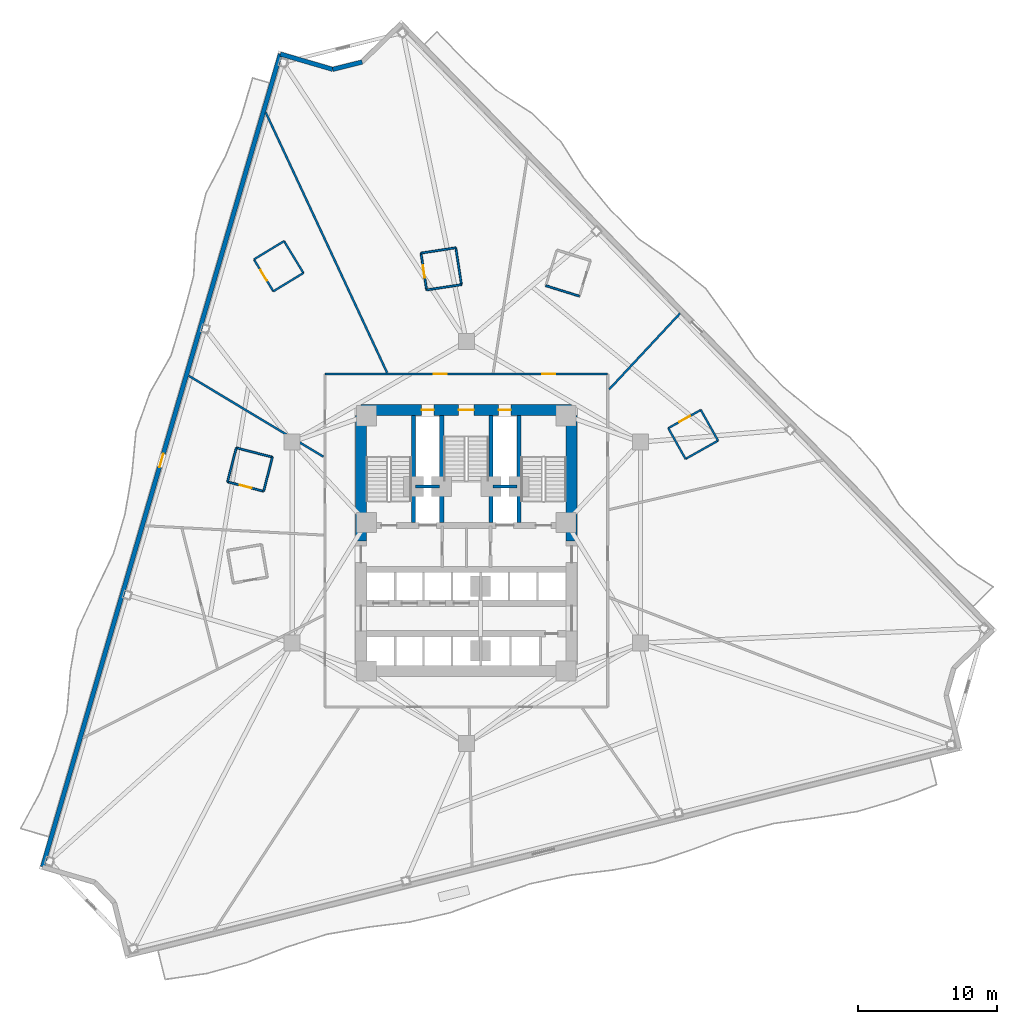
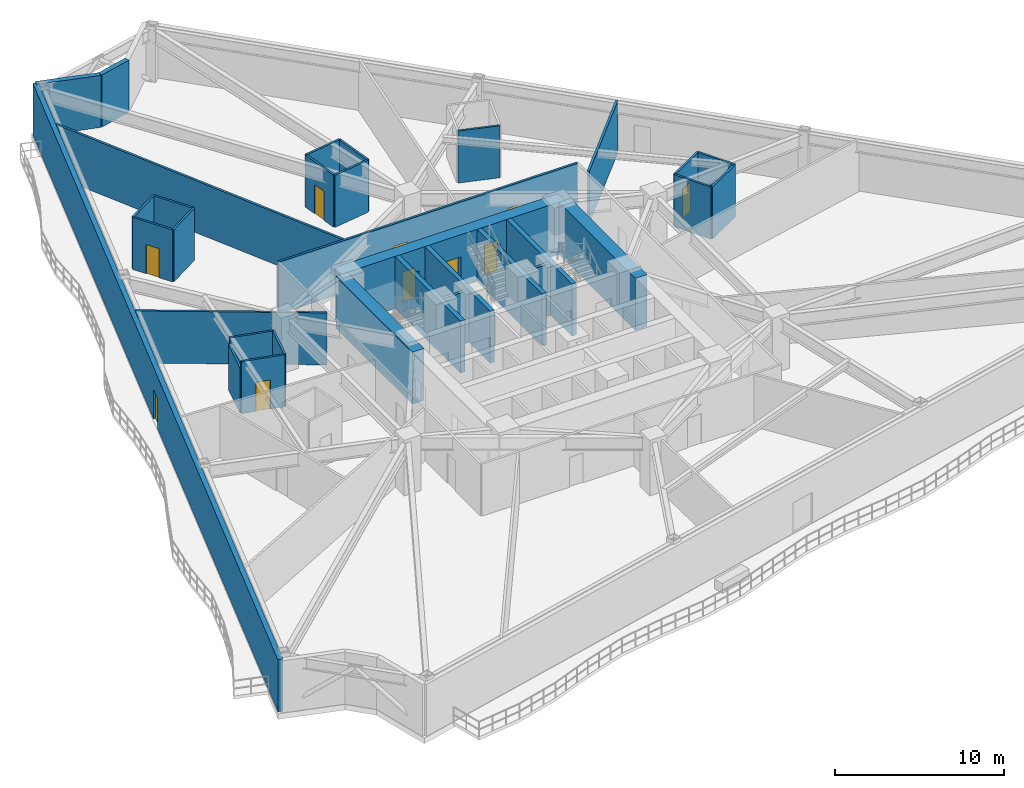
# One storey, part 8 of 13: 33 walls, 10 doors, 10 openings.
"""IFC4 building model written with IfcOpenShell, lengths in metres."""

from ifc_helpers import new_model, si_unit, direction, frame, frame_2d, origin, place, context, subcontext, project, spatial, rectangle, extrude, material, layer, layer_set, type_object, element, fill, save


model = new_model("IFC4")

# Units and contexts
model_context = context("Model", 3, precision=1e-05, world=origin(), true_north=direction((0.0, 1.0)))
body_context = subcontext(model_context, "Body", "Model", "MODEL_VIEW")
ifc_project = project(units=[si_unit("LENGTHUNIT", "METRE"), si_unit("AREAUNIT", "SQUARE_METRE"), si_unit("VOLUMEUNIT", "CUBIC_METRE"), si_unit("PLANEANGLEUNIT", "RADIAN"), si_unit("MASSUNIT", "GRAM", prefix="KILO")], contexts=[model_context])

# Site, building, storey
site_placement = place(None, origin())
site = spatial("IfcSite", under=ifc_project, at=site_placement, CompositionType="ELEMENT")
building_placement = place(site_placement, origin())
building = spatial("IfcBuilding", under=site, at=building_placement, Name="Apsidion Concourse Tower", CompositionType="ELEMENT")
storey_placement = place(building_placement, frame((0.0, 0.0, 95.0)))
storey = spatial("IfcBuildingStorey", under=building, at=storey_placement, Name="L21", CompositionType="ELEMENT", Elevation=95.0)

# Wall, opening, door
ifc_material_1 = material(Name="Precast concrete C40/50", Category="concrete")
ifc_layer_1 = layer(ifc_material_1, 0.320068359375)
ifc_layer_set_1 = layer_set([ifc_layer_1], Name="Precast concrete C40/50")
wall_type_1 = type_object("IfcWallType", Name="WL-EXT-320", PredefinedType="STANDARD", material=ifc_layer_set_1)
wall_1_placement = place(storey_placement, frame((-30.55908203125, -23.389404296875, 0.0), z_axis=(0.0, 0.0, 1.0), x_axis=(0.280769703207, 0.95977516834, 0.0)))
wall_1 = element("IfcWall", 1, at=wall_1_placement, inside=storey, type_object=wall_type_1, Name="L21 Precast Stone Facade Wall 09", PredefinedType="STANDARD", context=body_context, shape_type="SweptSolid", body=[
    extrude(rectangle(XDim=61.07568359375, YDim=0.320068359375, at=frame_2d((30.537841796875, 0.0))), origin(), (0.0, 0.0, 1.0), 3.75),
])
opening_1_placement = place(wall_1_placement, frame((30.037841796875, 0.0, 0.0)))
opening_1 = element("IfcOpeningElement", 2, at=opening_1_placement, cuts=wall_1, Name="Opening D-T1R", PredefinedType="OPENING", context=body_context, shape_type="SweptSolid", body=[
    extrude(rectangle(XDim=1.0, YDim=2.14990234375, at=frame_2d((0.5, 1.074951171875))), frame((0.0, 0.169921875, 0.0), z_axis=(0.0, -1.0, 0.0), x_axis=(1.0, 0.0, 0.0)), (0.0, 0.0, 1.0), 0.340087890625),
])
ifc_material_2 = material(Name="Anodised aluminium EN AW-6063 T6", Category="aluminium")
door_type_1 = type_object("IfcDoorType", Name="DR-TER-1022R", OperationType="SINGLE_SWING_RIGHT", PredefinedType="DOOR", material=ifc_material_2)
door_1_placement = place(opening_1_placement, origin())
door_1 = element("IfcDoor", 3, at=door_1_placement, inside=storey, type_object=door_type_1, Name="L21 Balcony Access Door 1", OperationType="SINGLE_SWING_RIGHT", OverallHeight=2.14990234375, OverallWidth=1.0, PredefinedType="DOOR", context=body_context, shape_type="SweptSolid", body=[
    extrude(rectangle(XDim=1.0, YDim=2.14990234375, at=frame_2d((0.5, 1.074951171875))), frame((0.0, 0.02490234375, 0.0), z_axis=(0.0, -1.0, 0.0), x_axis=(1.0, 0.0, 0.0)), (0.0, 0.0, 1.0), 0.050048828125),
])
fill(opening_1, door_1)

# Walls
wall_2_placement = place(storey_placement, frame((-13.410888671875, 35.2294921875, 0.0), z_axis=(0.0, 0.0, 1.0), x_axis=(0.959788404321, -0.280724453747, 0.0)))
element("IfcWall", 4, at=wall_2_placement, inside=storey, type_object=wall_type_1, Name="L21 Precast Stone Facade Wall 10", PredefinedType="STANDARD", context=body_context, shape_type="SweptSolid", body=[
    extrude(rectangle(XDim=3.93359375, YDim=0.320068359375, at=frame_2d((1.966796875, 0.0))), origin(), (0.0, 0.0, 1.0), 3.75),
])
wall_3_placement = place(storey_placement, frame((-9.635498046875, 34.125244140625, 0.0), z_axis=(0.0, 0.0, 1.0), x_axis=(0.970306423964, 0.241878985475, 0.0)))
element("IfcWall", 5, at=wall_3_placement, inside=storey, type_object=wall_type_1, Name="L21 Precast Stone Facade Wall 11", PredefinedType="STANDARD", context=body_context, shape_type="SweptSolid", body=[
    extrude(rectangle(XDim=2.187255859375, YDim=0.320068359375, at=frame_2d((1.09375, 0.0))), origin(), (0.0, 0.0, 1.0), 3.75),
])
ifc_material_3 = material(Name="Gypsum plasterboard partition")
ifc_layer_2 = layer(ifc_material_3, 0.139892578125)
ifc_layer_set_2 = layer_set([ifc_layer_2], Name="Gypsum plasterboard partition")
wall_type_2 = type_object("IfcWallType", Name="WL-INT-PAR-140", PredefinedType="PARTITIONING", material=ifc_layer_set_2)
wall_4_placement = place(storey_placement, frame((15.80908203125, 6.033203125, 0.0), z_axis=(0.0, 0.0, 1.0), x_axis=(0.872081639973, 0.489360412398, 0.0)))
element("IfcWall", 6, at=wall_4_placement, inside=storey, type_object=wall_type_2, Name="L21 Interior Partition WL-L21-POD-ENS06-S1", PredefinedType="PARTITIONING", context=body_context, shape_type="SweptSolid", body=[
    extrude(rectangle(XDim=2.68994140625, YDim=0.139892578125, at=frame_2d((1.344970703125, 0.0))), origin(), (0.0, 0.0, 1.0), 3.75),
])
wall_5_placement = place(storey_placement, frame((18.155029296875, 7.349609375, 0.0), z_axis=(0.0, 0.0, 1.0), x_axis=(-0.489416796167, 0.872049998354, 0.0)))
element("IfcWall", 7, at=wall_5_placement, inside=storey, type_object=wall_type_2, Name="L21 Interior Partition WL-L21-POD-ENS06-S2", PredefinedType="PARTITIONING", context=body_context, shape_type="SweptSolid", body=[
    extrude(rectangle(XDim=2.5400390625, YDim=0.139892578125, at=frame_2d((1.27001953125, 0.0))), origin(), (0.0, 0.0, 1.0), 3.75),
])

# Wall, opening, door
wall_6_placement = place(storey_placement, frame((16.911865234375, 9.564697265625, 0.0), z_axis=(0.0, 0.0, 1.0), x_axis=(-0.872059903545, -0.489399146535, 0.0)))
wall_6 = element("IfcWall", 8, at=wall_6_placement, inside=storey, type_object=wall_type_2, Name="L21 Interior Partition WL-L21-POD-ENS06-S3", PredefinedType="PARTITIONING", context=body_context, shape_type="SweptSolid", body=[
    extrude(rectangle(XDim=2.68994140625, YDim=0.139892578125, at=frame_2d((1.344970703125, 0.0))), origin(), (0.0, 0.0, 1.0), 3.75),
])
opening_2_placement = place(wall_6_placement, frame((0.905029296875, 0.0, 0.0)))
opening_2 = element("IfcOpeningElement", 9, at=opening_2_placement, cuts=wall_6, Name="Opening D-03L", PredefinedType="OPENING", context=body_context, shape_type="SweptSolid", body=[
    extrude(rectangle(XDim=0.8798828125, YDim=2.10009765625, at=frame_2d((0.43994140625, 1.050048828125))), frame((0.0, 0.080078125, 0.0), z_axis=(0.0, -1.0, 0.0), x_axis=(1.0, 0.0, 0.0)), (0.0, 0.0, 1.0), 0.159912109375),
])
door_type_2 = type_object("IfcDoorType", Name="DR-INT-D03L", OperationType="SINGLE_SWING_LEFT", PredefinedType="DOOR", material=ifc_material_2)
door_2_placement = place(opening_2_placement, origin())
door_2 = element("IfcDoor", 10, at=door_2_placement, inside=storey, type_object=door_type_2, Name="L21 Guest En-Suite Bathroom Door ENS06", OperationType="SINGLE_SWING_LEFT", OverallHeight=2.10009765625, OverallWidth=0.8798828125, PredefinedType="DOOR", context=body_context, shape_type="SweptSolid", body=[
    extrude(rectangle(XDim=0.8798828125, YDim=2.10009765625, at=frame_2d((0.43994140625, 1.050048828125))), frame((0.0, 0.02490234375, 0.0), z_axis=(0.0, -1.0, 0.0), x_axis=(1.0, 0.0, 0.0)), (0.0, 0.0, 1.0), 0.050048828125),
])
fill(opening_2, door_2)

# Walls
for number, where, z_axis, x_axis, name in (
    (11, (14.566162109375, 8.248291015625, 0.0), (0.0, 0.0, 1.0), (0.489343698437, -0.872091018644, 0.0), "L21 Interior Partition WL-L21-POD-ENS06-S4"),
    (12, (5.729248046875, 18.529052734375, 0.0), (0.0, 0.0, 1.0), (0.954247092135, -0.299019208666, 0.0), "L21 Interior Partition WL-L21-POD-ENS07-S4"),
):
    element("IfcWall", number, at=place(storey_placement, frame(where, z_axis=z_axis, x_axis=x_axis)), inside=storey, type_object=wall_type_2, Name=name, PredefinedType="PARTITIONING", context=body_context, shape_type="SweptSolid", body=[
        extrude(rectangle(XDim=2.5400390625, YDim=0.139892578125, at=frame_2d((1.27001953125, 0.0))), origin(), (0.0, 0.0, 1.0), 3.75),
    ])
wall_7_placement = place(storey_placement, frame((-0.349365234375, 18.600341796875, 0.0), z_axis=(0.0, 0.0, 1.0), x_axis=(-0.151197839508, 0.988503522163, 0.0)))
element("IfcWall", 13, at=wall_7_placement, inside=storey, type_object=wall_type_2, Name="L21 Interior Partition WL-L21-POD-ENS08-S1", PredefinedType="PARTITIONING", context=body_context, shape_type="SweptSolid", body=[
    extrude(rectangle(XDim=2.690185546875, YDim=0.139892578125, at=frame_2d((1.34521484375, 0.0))), origin(), (0.0, 0.0, 1.0), 3.75),
])
wall_8_placement = place(storey_placement, frame((-0.756103515625, 21.259521484375, 0.0), z_axis=(0.0, 0.0, 1.0), x_axis=(-0.988491388496, -0.151277145891, 0.0)))
element("IfcWall", 14, at=wall_8_placement, inside=storey, type_object=wall_type_2, Name="L21 Interior Partition WL-L21-POD-ENS08-S2", PredefinedType="PARTITIONING", context=body_context, shape_type="SweptSolid", body=[
    extrude(rectangle(XDim=2.540283203125, YDim=0.139892578125, at=frame_2d((1.27001953125, 0.0))), origin(), (0.0, 0.0, 1.0), 3.75),
])

# Wall, opening, door
wall_9_placement = place(storey_placement, frame((-3.26708984375, 20.875244140625, 0.0), z_axis=(0.0, 0.0, 1.0), x_axis=(0.15130009095, -0.988487876748, 0.0)))
wall_9 = element("IfcWall", 15, at=wall_9_placement, inside=storey, type_object=wall_type_2, Name="L21 Interior Partition WL-L21-POD-ENS08-S3", PredefinedType="PARTITIONING", context=body_context, shape_type="SweptSolid", body=[
    extrude(rectangle(XDim=2.68994140625, YDim=0.139892578125, at=frame_2d((1.344970703125, 0.0))), origin(), (0.0, 0.0, 1.0), 3.75),
])
opening_3_placement = place(wall_9_placement, frame((0.905029296875, 0.0, 0.0)))
opening_3 = element("IfcOpeningElement", 16, at=opening_3_placement, cuts=wall_9, Name="Opening D-03L", PredefinedType="OPENING", context=body_context, shape_type="SweptSolid", body=[
    extrude(rectangle(XDim=0.8798828125, YDim=2.10009765625, at=frame_2d((0.43994140625, 1.050048828125))), frame((0.0, 0.080078125, 0.0), z_axis=(0.0, -1.0, 0.0), x_axis=(1.0, 0.0, 0.0)), (0.0, 0.0, 1.0), 0.159912109375),
])
door_3_placement = place(opening_3_placement, origin())
door_3 = element("IfcDoor", 17, at=door_3_placement, inside=storey, type_object=door_type_2, Name="L21 Guest En-Suite Bathroom Door ENS08", OperationType="SINGLE_SWING_LEFT", OverallHeight=2.10009765625, OverallWidth=0.8798828125, PredefinedType="DOOR", context=body_context, shape_type="SweptSolid", body=[
    extrude(rectangle(XDim=0.8798828125, YDim=2.10009765625, at=frame_2d((0.43994140625, 1.050048828125))), frame((0.0, 0.02490234375, 0.0), z_axis=(0.0, -1.0, 0.0), x_axis=(1.0, 0.0, 0.0)), (0.0, 0.0, 1.0), 0.050048828125),
])
fill(opening_3, door_3)

# Walls
wall_10_placement = place(storey_placement, frame((-2.860107421875, 18.21630859375, 0.0), z_axis=(0.0, 0.0, 1.0), x_axis=(0.988503559094, 0.151197598061, 0.0)))
element("IfcWall", 18, at=wall_10_placement, inside=storey, type_object=wall_type_2, Name="L21 Interior Partition WL-L21-POD-ENS08-S4", PredefinedType="PARTITIONING", context=body_context, shape_type="SweptSolid", body=[
    extrude(rectangle(XDim=2.5400390625, YDim=0.139892578125, at=frame_2d((1.27001953125, 0.0))), origin(), (0.0, 0.0, 1.0), 3.75),
])
wall_11_placement = place(storey_placement, frame((-11.74560546875, 19.44091796875, 0.0), z_axis=(0.0, 0.0, 1.0), x_axis=(-0.519491962492, 0.854475336628, 0.0)))
element("IfcWall", 19, at=wall_11_placement, inside=storey, type_object=wall_type_2, Name="L21 Interior Partition WL-L21-POD-ENS09-S1", PredefinedType="PARTITIONING", context=body_context, shape_type="SweptSolid", body=[
    extrude(rectangle(XDim=2.68994140625, YDim=0.139892578125, at=frame_2d((1.344970703125, 0.0))), origin(), (0.0, 0.0, 1.0), 3.75),
])
wall_12_placement = place(storey_placement, frame((-13.14306640625, 21.739501953125, 0.0), z_axis=(0.0, 0.0, 1.0), x_axis=(-0.854467564834, -0.519504745548, 0.0)))
element("IfcWall", 20, at=wall_12_placement, inside=storey, type_object=wall_type_2, Name="L21 Interior Partition WL-L21-POD-ENS09-S2", PredefinedType="PARTITIONING", context=body_context, shape_type="SweptSolid", body=[
    extrude(rectangle(XDim=2.5400390625, YDim=0.139892578125, at=frame_2d((1.27001953125, 0.0))), origin(), (0.0, 0.0, 1.0), 3.75),
])

# Wall, opening, door
wall_13_placement = place(storey_placement, frame((-15.3134765625, 20.419921875, 0.0), z_axis=(0.0, 0.0, 1.0), x_axis=(0.519491962492, -0.854475336628, 0.0)))
wall_13 = element("IfcWall", 21, at=wall_13_placement, inside=storey, type_object=wall_type_2, Name="L21 Interior Partition WL-L21-POD-ENS09-S3", PredefinedType="PARTITIONING", context=body_context, shape_type="SweptSolid", body=[
    extrude(rectangle(XDim=2.68994140625, YDim=0.139892578125, at=frame_2d((1.344970703125, 0.0))), origin(), (0.0, 0.0, 1.0), 3.75),
])
opening_4_placement = place(wall_13_placement, frame((0.905029296875, 0.0, 0.0)))
opening_4 = element("IfcOpeningElement", 22, at=opening_4_placement, cuts=wall_13, Name="Opening D-03R", PredefinedType="OPENING", context=body_context, shape_type="SweptSolid", body=[
    extrude(rectangle(XDim=0.8798828125, YDim=2.10009765625, at=frame_2d((0.43994140625, 1.050048828125))), frame((0.0, 0.080078125, 0.0), z_axis=(0.0, -1.0, 0.0), x_axis=(1.0, 0.0, 0.0)), (0.0, 0.0, 1.0), 0.159912109375),
])
door_type_3 = type_object("IfcDoorType", Name="DR-INT-D03R", OperationType="SINGLE_SWING_RIGHT", PredefinedType="DOOR", material=ifc_material_2)
door_4_placement = place(opening_4_placement, origin())
door_4 = element("IfcDoor", 23, at=door_4_placement, inside=storey, type_object=door_type_3, Name="L21 Guest En-Suite Bathroom Door ENS09", OperationType="SINGLE_SWING_RIGHT", OverallHeight=2.10009765625, OverallWidth=0.8798828125, PredefinedType="DOOR", context=body_context, shape_type="SweptSolid", body=[
    extrude(rectangle(XDim=0.8798828125, YDim=2.10009765625, at=frame_2d((0.43994140625, 1.050048828125))), frame((0.0, 0.02490234375, 0.0), z_axis=(0.0, -1.0, 0.0), x_axis=(1.0, 0.0, 0.0)), (0.0, 0.0, 1.0), 0.050048828125),
])
fill(opening_4, door_4)

# Walls
wall_14_placement = place(storey_placement, frame((-13.916015625, 18.121337890625, 0.0), z_axis=(0.0, 0.0, 1.0), x_axis=(0.854467564834, 0.519504745548, 0.0)))
element("IfcWall", 24, at=wall_14_placement, inside=storey, type_object=wall_type_2, Name="L21 Interior Partition WL-L21-POD-ENS09-S4", PredefinedType="PARTITIONING", context=body_context, shape_type="SweptSolid", body=[
    extrude(rectangle(XDim=2.5400390625, YDim=0.139892578125, at=frame_2d((1.27001953125, 0.0))), origin(), (0.0, 0.0, 1.0), 3.75),
])
wall_15_placement = place(storey_placement, frame((-13.980712890625, 6.16064453125, 0.0), z_axis=(0.0, 0.0, 1.0), x_axis=(-0.96814046273, 0.250407756321, 0.0)))
element("IfcWall", 25, at=wall_15_placement, inside=storey, type_object=wall_type_2, Name="L21 Interior Partition WL-L21-POD-ENS10-S1", PredefinedType="PARTITIONING", context=body_context, shape_type="SweptSolid", body=[
    extrude(rectangle(XDim=2.68994140625, YDim=0.139892578125, at=frame_2d((1.344970703125, 0.0))), origin(), (0.0, 0.0, 1.0), 3.75),
])
wall_16_placement = place(storey_placement, frame((-16.5849609375, 6.834228515625, 0.0), z_axis=(0.0, 0.0, 1.0), x_axis=(-0.250375055773, -0.968148920077, 0.0)))
element("IfcWall", 26, at=wall_16_placement, inside=storey, type_object=wall_type_2, Name="L21 Interior Partition WL-L21-POD-ENS10-S2", PredefinedType="PARTITIONING", context=body_context, shape_type="SweptSolid", body=[
    extrude(rectangle(XDim=2.5400390625, YDim=0.139892578125, at=frame_2d((1.27001953125, 0.0))), origin(), (0.0, 0.0, 1.0), 3.26708984375),
])

# Wall, opening, door
wall_17_placement = place(storey_placement, frame((-17.220947265625, 4.375, 0.0), z_axis=(0.0, 0.0, 1.0), x_axis=(0.96814046273, -0.250407756321, 0.0)))
wall_17 = element("IfcWall", 27, at=wall_17_placement, inside=storey, type_object=wall_type_2, Name="L21 Interior Partition WL-L21-POD-ENS10-S3", PredefinedType="PARTITIONING", context=body_context, shape_type="SweptSolid", body=[
    extrude(rectangle(XDim=2.68994140625, YDim=0.139892578125, at=frame_2d((1.344970703125, 0.0))), origin(), (0.0, 0.0, 1.0), 3.75),
])
opening_5_placement = place(wall_17_placement, frame((0.905029296875, 0.0, 0.0)))
opening_5 = element("IfcOpeningElement", 28, at=opening_5_placement, cuts=wall_17, Name="Opening D-03L", PredefinedType="OPENING", context=body_context, shape_type="SweptSolid", body=[
    extrude(rectangle(XDim=0.8798828125, YDim=2.10009765625, at=frame_2d((0.43994140625, 1.050048828125))), frame((0.0, 0.080078125, 0.0), z_axis=(0.0, -1.0, 0.0), x_axis=(1.0, 0.0, 0.0)), (0.0, 0.0, 1.0), 0.159912109375),
])
door_5_placement = place(opening_5_placement, origin())
door_5 = element("IfcDoor", 29, at=door_5_placement, inside=storey, type_object=door_type_2, Name="L21 Guest En-Suite Bathroom Door ENS10", OperationType="SINGLE_SWING_LEFT", OverallHeight=2.10009765625, OverallWidth=0.8798828125, PredefinedType="DOOR", context=body_context, shape_type="SweptSolid", body=[
    extrude(rectangle(XDim=0.8798828125, YDim=2.10009765625, at=frame_2d((0.43994140625, 1.050048828125))), frame((0.0, 0.02490234375, 0.0), z_axis=(0.0, -1.0, 0.0), x_axis=(1.0, 0.0, 0.0)), (0.0, 0.0, 1.0), 0.050048828125),
])
fill(opening_5, door_5)

# Wall
wall_18_placement = place(storey_placement, frame((-14.61669921875, 3.701416015625, 0.0), z_axis=(0.0, 0.0, 1.0), x_axis=(0.250375055773, 0.968148920077, 0.0)))
element("IfcWall", 30, at=wall_18_placement, inside=storey, type_object=wall_type_2, Name="L21 Interior Partition WL-L21-POD-ENS10-S4", PredefinedType="PARTITIONING", context=body_context, shape_type="SweptSolid", body=[
    extrude(rectangle(XDim=2.5400390625, YDim=0.139892578125, at=frame_2d((1.27001953125, 0.0))), origin(), (0.0, 0.0, 1.0), 3.75),
])

# Wall, openings, doors
ifc_layer_3 = layer(ifc_material_3, 0.14990234375)
ifc_layer_set_3 = layer_set([ifc_layer_3], Name="Gypsum plasterboard partition")
wall_type_3 = type_object("IfcWallType", Name="WL-INT-PAR-150", PredefinedType="PARTITIONING", material=ifc_layer_set_3)
wall_19_placement = place(storey_placement, frame((-10.199951171875, 12.14990234375, 0.0), z_axis=(0.0, 0.0, 1.0), x_axis=(1.0, 0.0, 0.0)))
wall_19 = element("IfcWall", 31, at=wall_19_placement, inside=storey, type_object=wall_type_3, Name="L21 Interior Partition WL-L21-CORR-01", PredefinedType="PARTITIONING", context=body_context, shape_type="SweptSolid", body=[
    extrude(rectangle(XDim=20.39990234375, YDim=0.14990234375, at=frame_2d((10.199951171875, 0.0))), origin(), (0.0, 0.0, 1.0), 3.75),
])
opening_6_placement = place(wall_19_placement, frame((15.66552734375, 0.0, 0.0)))
opening_6 = element("IfcOpeningElement", 32, at=opening_6_placement, cuts=wall_19, Name="Opening D-01R", PredefinedType="OPENING", context=body_context, shape_type="SweptSolid", body=[
    extrude(rectangle(XDim=0.949951171875, YDim=2.14990234375, at=frame_2d((0.47509765625, 1.074951171875))), frame((0.0, 0.0849609375, 0.0), z_axis=(0.0, -1.0, 0.0), x_axis=(1.0, 0.0, 0.0)), (0.0, 0.0, 1.0), 0.169921875),
])
opening_7_placement = place(wall_19_placement, frame((7.842041015625, 0.0, 0.0)))
opening_7 = element("IfcOpeningElement", 33, at=opening_7_placement, cuts=wall_19, Name="Opening D-01L", PredefinedType="OPENING", context=body_context, shape_type="SweptSolid", body=[
    extrude(rectangle(XDim=0.949951171875, YDim=2.14990234375, at=frame_2d((0.47509765625, 1.074951171875))), frame((0.0, 0.0849609375, 0.0), z_axis=(0.0, -1.0, 0.0), x_axis=(1.0, 0.0, 0.0)), (0.0, 0.0, 1.0), 0.169921875),
])
ifc_material_4 = material(Name="Brushed stainless steel 316", Category="steel")
door_type_4 = type_object("IfcDoorType", Name="DR-INT-D01L", OperationType="SINGLE_SWING_LEFT", PredefinedType="DOOR", material=ifc_material_4)
door_6_placement = place(opening_7_placement, origin())
door_6 = element("IfcDoor", 34, at=door_6_placement, inside=storey, type_object=door_type_4, Name="L21 Corridor Entry Door 09", OperationType="SINGLE_SWING_LEFT", OverallHeight=2.14990234375, OverallWidth=0.949951171875, PredefinedType="DOOR", context=body_context, shape_type="SweptSolid", body=[
    extrude(rectangle(XDim=0.949951171875, YDim=2.14990234375, at=frame_2d((0.47509765625, 1.074951171875))), frame((0.0, 0.02490234375, 0.0), z_axis=(0.0, -1.0, 0.0), x_axis=(1.0, 0.0, 0.0)), (0.0, 0.0, 1.0), 0.050048828125),
])
fill(opening_7, door_6)
door_type_5 = type_object("IfcDoorType", Name="DR-INT-D01R", OperationType="SINGLE_SWING_RIGHT", PredefinedType="DOOR", material=ifc_material_4)
door_7_placement = place(opening_6_placement, origin())
door_7 = element("IfcDoor", 35, at=door_7_placement, inside=storey, type_object=door_type_5, Name="L21 Corridor Entry Door 08", OperationType="SINGLE_SWING_RIGHT", OverallHeight=2.14990234375, OverallWidth=0.949951171875, PredefinedType="DOOR", context=body_context, shape_type="SweptSolid", body=[
    extrude(rectangle(XDim=0.949951171875, YDim=2.14990234375, at=frame_2d((0.47509765625, 1.074951171875))), frame((0.0, 0.02490234375, 0.0), z_axis=(0.0, -1.0, 0.0), x_axis=(1.0, 0.0, 0.0)), (0.0, 0.0, 1.0), 0.050048828125),
])
fill(opening_6, door_7)

# Walls
wall_20_placement = place(storey_placement, frame((10.304931640625, 11.05078125, 0.0), z_axis=(0.0, 0.0, 1.0), x_axis=(0.682010951467, 0.731341959742, 0.0)))
element("IfcWall", 36, at=wall_20_placement, inside=storey, type_object=wall_type_3, Name="L21 Interior Partition WL-L21-RAD-02-1", PredefinedType="PARTITIONING", context=body_context, shape_type="SweptSolid", body=[
    extrude(rectangle(XDim=7.502685546875, YDim=0.14990234375, at=frame_2d((3.75146484375, 0.0))), origin(), (0.0, 0.0, 1.0), 3.75),
])
wall_21_placement = place(storey_placement, frame((-5.714599609375, 12.2548828125, 0.0), z_axis=(0.0, 0.0, 1.0), x_axis=(-0.422620694444, 0.906306652645, 0.0)))
element("IfcWall", 37, at=wall_21_placement, inside=storey, type_object=wall_type_3, Name="L21 Interior Partition WL-L21-RAD-04-1", PredefinedType="PARTITIONING", context=body_context, shape_type="SweptSolid", body=[
    extrude(rectangle(XDim=20.69775390625, YDim=0.14990234375, at=frame_2d((10.348876953125, 0.0))), origin(), (0.0, 0.0, 1.0), 3.75),
])
wall_22_placement = place(storey_placement, frame((-10.304931640625, 6.19189453125, 0.0), z_axis=(0.0, 0.0, 1.0), x_axis=(-0.85717141853, 0.515031221632, 0.0)))
element("IfcWall", 38, at=wall_22_placement, inside=storey, type_object=wall_type_3, Name="L21 Interior Partition WL-L21-RAD-05-1", PredefinedType="PARTITIONING", context=body_context, shape_type="SweptSolid", body=[
    extrude(rectangle(XDim=11.329345703125, YDim=0.14990234375, at=frame_2d((5.66455078125, 0.0))), origin(), (0.0, 0.0, 1.0), 3.75),
])
ifc_layer_4 = layer(ifc_material_3, 0.199951171875)
ifc_layer_set_4 = layer_set([ifc_layer_4], Name="Gypsum plasterboard partition")
wall_type_4 = type_object("IfcWallType", Name="WL-INT-PAR-200", PredefinedType="PARTITIONING", material=ifc_layer_set_4)
for number, where, z_axis, x_axis, name in (
    (39, (-3.64990234375, 4.050048828125, 0.0), (0.0, 0.0, 1.0), (1.0, 0.0, 0.0), "L21 Interior Partition WL-L21-FF1-N"),
    (40, (1.919921875, 4.050048828125, 0.0), (0.0, 0.0, 1.0), (1.0, 0.0, 0.0), "L21 Interior Partition WL-L21-FF2-N"),
):
    element("IfcWall", number, at=place(storey_placement, frame(where, z_axis=z_axis, x_axis=x_axis)), inside=storey, type_object=wall_type_4, Name=name, PredefinedType="PARTITIONING", context=body_context, shape_type="SweptSolid", body=[
        extrude(rectangle(XDim=1.72998046875, YDim=0.199951171875, at=frame_2d((0.864990234375, 0.0))), origin(), (0.0, 0.0, 1.0), 3.75),
    ])
ifc_material_5 = material(Name="Concrete C50/60", Category="concrete")
ifc_layer_5 = layer(ifc_material_5, 0.300048828125)
ifc_layer_set_5 = layer_set([ifc_layer_5], Name="Concrete C50/60")
wall_type_5 = type_object("IfcWallType", Name="WL-SH-300", PredefinedType="SHEAR", material=ifc_layer_set_5)
for number, where, z_axis, x_axis, name in (
    (41, (-3.800048828125, 1.449951171875, 0.0), (0.0, 0.0, 1.0), (0.0, 1.0, 0.0), "L21 Central Core Shear Wall V1"),
    (42, (-1.77490234375, 1.449951171875, 0.0), (0.0, 0.0, 1.0), (0.0, 1.0, 0.0), "L21 Central Core Shear Wall V2"),
    (43, (1.77490234375, 1.449951171875, 0.0), (0.0, 0.0, 1.0), (0.0, 1.0, 0.0), "L21 Central Core Shear Wall V3"),
    (44, (3.800048828125, 1.449951171875, 0.0), (0.0, 0.0, 1.0), (0.0, 1.0, 0.0), "L21 Central Core Shear Wall V4"),
):
    element("IfcWall", number, at=place(storey_placement, frame(where, z_axis=z_axis, x_axis=x_axis)), inside=storey, type_object=wall_type_5, Name=name, PredefinedType="SHEAR", context=body_context, shape_type="SweptSolid", body=[
        extrude(rectangle(XDim=7.699951171875, YDim=0.300048828125, at=frame_2d((3.85009765625, 0.0))), origin(), (0.0, 0.0, 1.0), 3.75),
    ])

# Wall, openings, doors
ifc_material_6 = material(Name="Concrete C60/75", Category="concrete")
ifc_layer_6 = layer(ifc_material_6, 0.800048828125)
ifc_layer_set_6 = layer_set([ifc_layer_6], Name="Concrete C60/75")
wall_type_6 = type_object("IfcWallType", Name="WL-SH-800", PredefinedType="SHEAR", material=ifc_layer_set_6)
wall_23_placement = place(storey_placement, frame((-7.60009765625, 9.550048828125, 0.0), z_axis=(0.0, 0.0, 1.0), x_axis=(1.0, 0.0, 0.0)))
wall_23 = element("IfcWall", 45, at=wall_23_placement, inside=storey, type_object=wall_type_6, Name="L21 Central Core Shear Wall N", PredefinedType="SHEAR", context=body_context, shape_type="SweptSolid", body=[
    extrude(rectangle(XDim=15.2001953125, YDim=0.800048828125, at=frame_2d((7.60009765625, 0.0))), origin(), (0.0, 0.0, 1.0), 3.75),
])
opening_8_placement = place(wall_23_placement, frame((7.050048828125, 0.0, 0.0)))
opening_8 = element("IfcOpeningElement", 46, at=opening_8_placement, cuts=wall_23, Name="Opening D-STL", PredefinedType="OPENING", context=body_context, shape_type="SweptSolid", body=[
    extrude(rectangle(XDim=1.10009765625, YDim=2.14990234375, at=frame_2d((0.550048828125, 1.074951171875))), frame((0.0, 0.41015625, 0.0), z_axis=(0.0, -1.0, 0.0), x_axis=(1.0, 0.0, 0.0)), (0.0, 0.0, 1.0), 0.820068359375),
])
opening_9_placement = place(wall_23_placement, frame((4.3798828125, 0.0, 0.0)))
opening_9 = element("IfcOpeningElement", 47, at=opening_9_placement, cuts=wall_23, Name="Opening D-05L", PredefinedType="OPENING", context=body_context, shape_type="SweptSolid", body=[
    extrude(rectangle(XDim=0.8798828125, YDim=2.14990234375, at=frame_2d((0.43994140625, 1.074951171875))), frame((0.0, 0.41015625, 0.0), z_axis=(0.0, -1.0, 0.0), x_axis=(1.0, 0.0, 0.0)), (0.0, 0.0, 1.0), 0.820068359375),
])
opening_10_placement = place(wall_23_placement, frame((9.93994140625, 0.0, 0.0)))
opening_10 = element("IfcOpeningElement", 48, at=opening_10_placement, cuts=wall_23, Name="Opening D-05R", PredefinedType="OPENING", context=body_context, shape_type="SweptSolid", body=[
    extrude(rectangle(XDim=0.8798828125, YDim=2.14990234375, at=frame_2d((0.43994140625, 1.074951171875))), frame((0.0, 0.41015625, 0.0), z_axis=(0.0, -1.0, 0.0), x_axis=(1.0, 0.0, 0.0)), (0.0, 0.0, 1.0), 0.820068359375),
])
door_type_6 = type_object("IfcDoorType", Name="DR-INT-D05L", OperationType="SINGLE_SWING_LEFT", PredefinedType="DOOR", material=ifc_material_4)
door_8_placement = place(opening_9_placement, origin())
door_8 = element("IfcDoor", 49, at=door_8_placement, inside=storey, type_object=door_type_6, Name="L21 Electrical Riser Shaft Access Door", OperationType="SINGLE_SWING_LEFT", OverallHeight=2.14990234375, OverallWidth=0.8798828125, PredefinedType="DOOR", context=body_context, shape_type="SweptSolid", body=[
    extrude(rectangle(XDim=0.8798828125, YDim=2.14990234375, at=frame_2d((0.43994140625, 1.074951171875))), frame((0.0, 0.02490234375, 0.0), z_axis=(0.0, -1.0, 0.0), x_axis=(1.0, 0.0, 0.0)), (0.0, 0.0, 1.0), 0.050048828125),
])
fill(opening_9, door_8)
door_type_7 = type_object("IfcDoorType", Name="DR-INT-D05R", OperationType="SINGLE_SWING_RIGHT", PredefinedType="DOOR", material=ifc_material_4)
door_9_placement = place(opening_10_placement, origin())
door_9 = element("IfcDoor", 50, at=door_9_placement, inside=storey, type_object=door_type_7, Name="L21 Mechanical Riser Shaft Access Door", OperationType="SINGLE_SWING_RIGHT", OverallHeight=2.14990234375, OverallWidth=0.8798828125, PredefinedType="DOOR", context=body_context, shape_type="SweptSolid", body=[
    extrude(rectangle(XDim=0.8798828125, YDim=2.14990234375, at=frame_2d((0.43994140625, 1.074951171875))), frame((0.0, 0.02490234375, 0.0), z_axis=(0.0, -1.0, 0.0), x_axis=(1.0, 0.0, 0.0)), (0.0, 0.0, 1.0), 0.050048828125),
])
fill(opening_10, door_9)
door_type_8 = type_object("IfcDoorType", Name="DR-INT-ST1L", OperationType="SINGLE_SWING_LEFT", PredefinedType="DOOR", material=ifc_material_4)
door_10_placement = place(opening_8_placement, origin())
door_10 = element("IfcDoor", 51, at=door_10_placement, inside=storey, type_object=door_type_8, Name="L21 Core Exit Stair ST3 Door", OperationType="SINGLE_SWING_LEFT", OverallHeight=2.14990234375, OverallWidth=1.10009765625, PredefinedType="DOOR", context=body_context, shape_type="SweptSolid", body=[
    extrude(rectangle(XDim=1.10009765625, YDim=2.14990234375, at=frame_2d((0.550048828125, 1.074951171875))), frame((0.0, 0.02490234375, 0.0), z_axis=(0.0, -1.0, 0.0), x_axis=(1.0, 0.0, 0.0)), (0.0, 0.0, 1.0), 0.050048828125),
])
fill(opening_8, door_10)

# Walls
for number, where, z_axis, x_axis, name in (
    (52, (-7.60009765625, 0.10009765625, 0.0), (0.0, 0.0, 1.0), (0.0, 1.0, 0.0), "L21 Central Core Shear Wall WN"),
    (53, (7.60009765625, 0.10009765625, 0.0), (0.0, 0.0, 1.0), (0.0, 1.0, 0.0), "L21 Central Core Shear Wall EN"),
):
    element("IfcWall", number, at=place(storey_placement, frame(where, z_axis=z_axis, x_axis=x_axis)), inside=storey, type_object=wall_type_6, Name=name, PredefinedType="SHEAR", context=body_context, shape_type="SweptSolid", body=[
        extrude(rectangle(XDim=9.0498046875, YDim=0.800048828125, at=frame_2d((4.52490234375, 0.0))), origin(), (0.0, 0.0, 1.0), 3.75),
    ])

save(model, "model.ifc")
